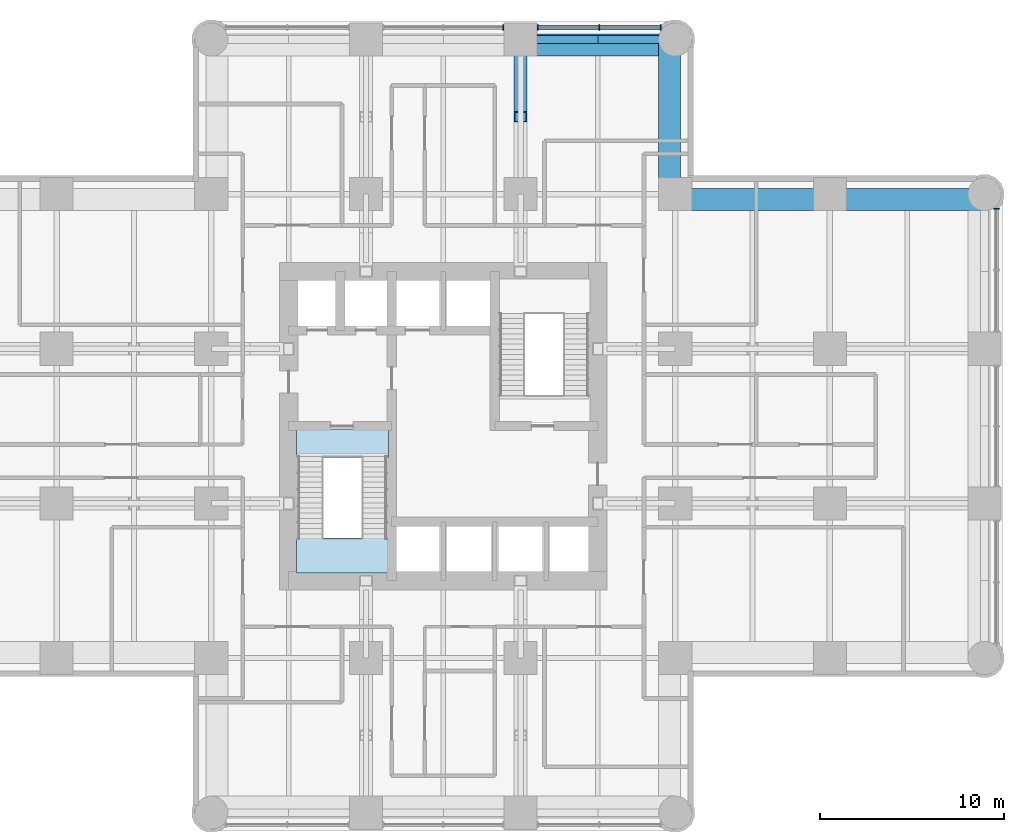
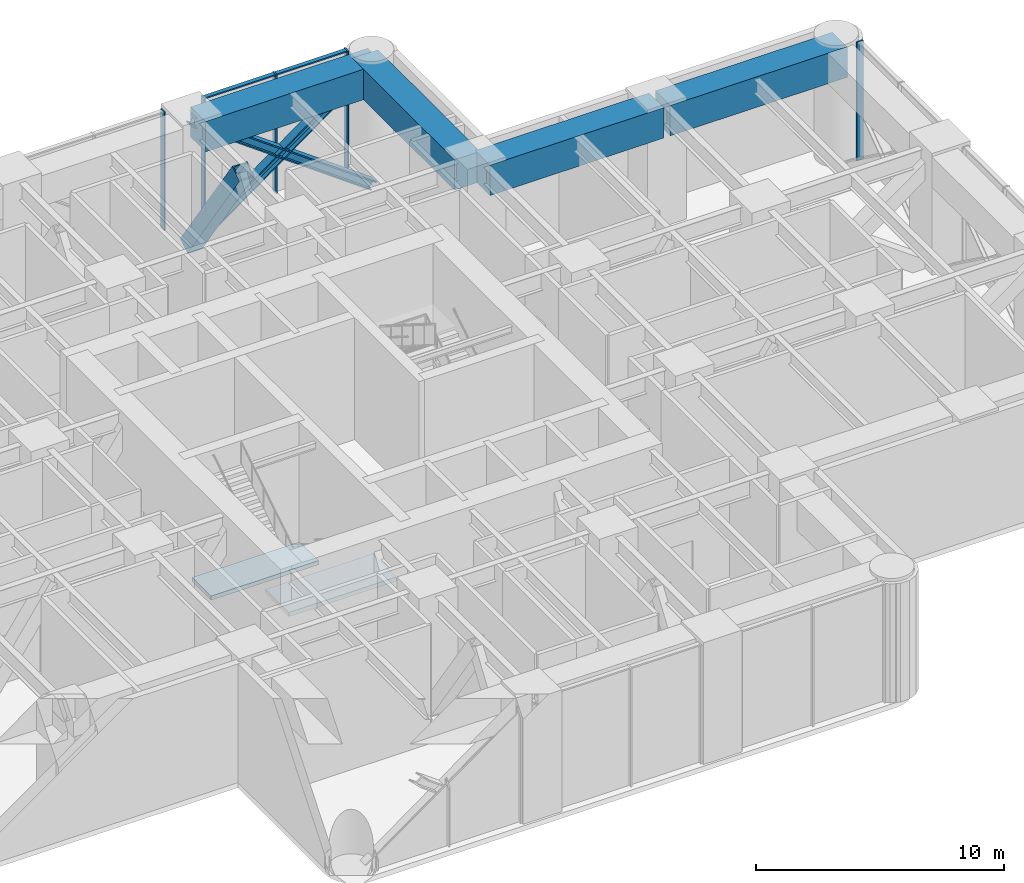
# One storey, part 7 of 13: 10 members, 4 beams, 2 slabs, 3 elements without a shape of their own.
"""IFC4 building model written with IfcOpenShell, lengths in metres."""

import ifcopenshell
import ifcopenshell.guid

model = None  # the IFC model being written
_history = None  # IfcOwnerHistory: only IFC2X3 demands one
_inside = {}  # id of a spatial element -> (the spatial element, [elements in it])
_under = {}  # id of a project, library or spatial element -> (it, [spatial elements below it])
_declared = {}  # id of a project -> (the project, [libraries it declares])
_typed = {}  # id of a type object -> (the type object, [elements of that type])
_made_of = {}  # id of a material, layer set ... -> (it, [elements and type objects made of it])


def new_model(schema):
    """Start an empty IFC model of exactly this schema.

    Asked for "IFC4X3", IfcOpenShell would pick the latest addendum, in which some entities
    have other attributes; the version numbers below select the first issue.
    IFC2X3 requires an IfcOwnerHistory on every rooted entity: one is made here for all.
    """
    global model, _history
    if schema == "IFC4X3":
        model = ifcopenshell.file(schema_version=(4, 3, 0, 0))
    else:
        model = ifcopenshell.file(schema=schema)
    _inside.clear()
    _under.clear()
    _declared.clear()
    _typed.clear()
    _made_of.clear()
    _history = None
    if model.schema == "IFC2X3":
        org = make("IfcOrganization", Name="unknown")
        user = make(
            "IfcPersonAndOrganization",
            ThePerson=make("IfcPerson", FamilyName="unknown"),
            TheOrganization=org,
        )
        app = make(
            "IfcApplication",
            ApplicationDeveloper=org,
            Version="unknown",
            ApplicationFullName="unknown",
            ApplicationIdentifier="unknown",
        )
        _history = make(
            "IfcOwnerHistory",
            OwningUser=user,
            OwningApplication=app,
            ChangeAction="ADDED",
            CreationDate=0,
        )
    return model


def make(cls, **values):
    """One entity of the class cls with the attributes given. An attribute that is None is left unset."""
    return model.create_entity(
        cls, **{name: value for name, value in values.items() if value is not None}
    )


def rooted(cls, **values):
    """An entity with a GlobalId (a new one), such as an element, a storey or a relation."""
    return make(cls, GlobalId=ifcopenshell.guid.new(), OwnerHistory=_history, **values)


def si_unit(unit_type, name, prefix=None):
    """IfcSIUnit, for example si_unit("LENGTHUNIT", "METRE", prefix="MILLI")."""
    return make("IfcSIUnit", UnitType=unit_type, Prefix=prefix, Name=name)


def assignment(units):
    """IfcUnitAssignment: the units of a project."""
    return None if units is None else make("IfcUnitAssignment", Units=units)


def point(xyz):
    """IfcCartesianPoint."""
    return None if xyz is None else make("IfcCartesianPoint", Coordinates=xyz)


def direction(xyz):
    """IfcDirection."""
    return None if xyz is None else make("IfcDirection", DirectionRatios=xyz)


def frame(location, z_axis=None, x_axis=None):
    """IfcAxis2Placement3D, a coordinate frame: its origin and axes. An axis left out is left unset."""
    return make(
        "IfcAxis2Placement3D",
        Location=point(location),
        Axis=direction(z_axis),
        RefDirection=direction(x_axis),
    )


def frame_2d(location, x_axis=None):
    """IfcAxis2Placement2D, a coordinate frame in the plane: its origin and x axis."""
    return make(
        "IfcAxis2Placement2D", Location=point(location), RefDirection=direction(x_axis)
    )


def origin():
    """The frame at (0, 0, 0) with its axes left unset."""
    return frame((0.0, 0.0, 0.0))


def origin_2d():
    """The frame at (0, 0) in the plane with its x axis left unset."""
    return frame_2d((0.0, 0.0))


def place(relative_to, where):
    """IfcLocalPlacement: puts the frame where relative to a parent placement (None: the world)."""
    return make(
        "IfcLocalPlacement", PlacementRelTo=relative_to, RelativePlacement=where
    )


def context(
    kind, dimensions, precision=None, world=None, true_north=None, identifier=None
):
    """IfcGeometricRepresentationContext, for example the 3D "Model" context."""
    return make(
        "IfcGeometricRepresentationContext",
        ContextIdentifier=identifier,
        ContextType=kind,
        CoordinateSpaceDimension=dimensions,
        Precision=precision,
        WorldCoordinateSystem=world,
        TrueNorth=true_north,
    )


def subcontext(parent, identifier, kind, view, scale=None):
    """IfcGeometricRepresentationSubContext, for example "Body" below "Model"."""
    return make(
        "IfcGeometricRepresentationSubContext",
        ContextIdentifier=identifier,
        ContextType=kind,
        ParentContext=parent,
        TargetScale=scale,
        TargetView=view,
    )


def project(units=None, contexts=None):
    """IfcProject with its units and contexts."""
    return rooted(
        "IfcProject",
        Name="project",
        RepresentationContexts=contexts,
        UnitsInContext=assignment(units),
    )


def spatial(cls, under=None, at=None, **own):
    """A site, building, storey or space (cls), placed at a placement, below another one or the project."""
    s = rooted(cls, ObjectPlacement=at, **own)
    if under is not None:
        _under.setdefault(under.id(), (under, []))[1].append(s)
    return s


def polyline(points):
    """IfcPolyline through the points."""
    return make("IfcPolyline", Points=[point(p) for p in points])


def profile(cls, at=None, kind="AREA", **sizes):
    """A parametric profile (cls). Its sizes go by their IFC names, for example OverallWidth=200.0."""
    return make(cls, ProfileType=kind, Position=at, **sizes)


def rectangle(**sizes):
    """IfcRectangleProfileDef."""
    return profile("IfcRectangleProfileDef", **sizes)


def hollow_rectangle(**sizes):
    """IfcRectangleHollowProfileDef."""
    return profile("IfcRectangleHollowProfileDef", **sizes)


def i_section(**sizes):
    """IfcIShapeProfileDef."""
    return profile("IfcIShapeProfileDef", **sizes)


def outline(outer, holes=None, kind="AREA"):
    """IfcArbitraryClosedProfileDef: a profile drawn as a closed curve; with holes, ...WithVoids."""
    if holes is None:
        return make("IfcArbitraryClosedProfileDef", ProfileType=kind, OuterCurve=outer)
    return make(
        "IfcArbitraryProfileDefWithVoids",
        ProfileType=kind,
        OuterCurve=outer,
        InnerCurves=holes,
    )


def extrude(swept, where, along, depth):
    """IfcExtrudedAreaSolid: the profile swept, set in the frame where, extruded along a direction by depth."""
    return make(
        "IfcExtrudedAreaSolid",
        SweptArea=swept,
        Position=where,
        ExtrudedDirection=direction(along),
        Depth=depth,
    )


def shape(context_of_items, identifier, shape_type, items):
    """IfcShapeRepresentation: the items that make up one representation, for example the "Body"."""
    return make(
        "IfcShapeRepresentation",
        ContextOfItems=context_of_items,
        RepresentationIdentifier=identifier,
        RepresentationType=shape_type,
        Items=items,
    )


def material(Name=None, Category=None):
    """IfcMaterial."""
    return make("IfcMaterial", Name=Name, Category=Category)


def layer(
    of_material, thickness, ventilated=None, Name=None, Category=None, Priority=None
):
    """IfcMaterialLayer: one layer of a wall or slab, of a material (None: an air gap)."""
    return make(
        "IfcMaterialLayer",
        Material=of_material,
        LayerThickness=thickness,
        IsVentilated=ventilated,
        Name=Name,
        Category=Category,
        Priority=Priority,
    )


def layer_set(layers, Name=None):
    """IfcMaterialLayerSet."""
    return make("IfcMaterialLayerSet", MaterialLayers=layers, LayerSetName=Name)


def material_profile(
    of_material, cross_section, Name=None, Category=None, Priority=None
):
    """IfcMaterialProfile: a cross section and its material."""
    return make(
        "IfcMaterialProfile",
        Name=Name,
        Material=of_material,
        Profile=cross_section,
        Priority=Priority,
        Category=Category,
    )


def profile_set(profiles, Name=None, composite=None):
    """IfcMaterialProfileSet."""
    return make(
        "IfcMaterialProfileSet",
        Name=Name,
        MaterialProfiles=profiles,
        CompositeProfile=composite,
    )


def made_of(thing, what):
    """Note that an element or type object is made of a material, layer set ...; save() writes the relation."""
    if what is not None:
        _made_of.setdefault(what.id(), (what, []))[1].append(thing)
    return thing


def type_object(cls, material=None, **own):
    """A type object (cls), such as IfcWallType, which elements share."""
    return made_of(rooted(cls, **own), material)


def element(
    cls,
    number,
    at=None,
    inside=None,
    cuts=None,
    type_object=None,
    material=None,
    context=None,
    identifier="Body",
    shape_type=None,
    held_by="IfcProductDefinitionShape",
    body=None,
    shapes=None,
    **own,
):
    """One element of the class cls, such as IfcWall. Its Tag is "e" and its number.

    at: its placement. inside: the storey or other place that contains it. cuts: it is an
    opening in that element (IfcRelVoidsElement). A single representation is given by context,
    identifier, shape_type and body (its items); several are given by shapes. held_by: the class
    of the entity that holds the representations. save() writes the other relations.
    """
    e = rooted(cls, Tag="e%d" % number, ObjectPlacement=at, **own)
    if body is not None:
        shapes = [shape(context, identifier, shape_type, body)]
    if shapes is not None:
        e.Representation = make(held_by, Representations=shapes)
    if inside is not None:
        _inside.setdefault(inside.id(), (inside, []))[1].append(e)
    if cuts is not None:
        rooted(
            "IfcRelVoidsElement", RelatingBuildingElement=cuts, RelatedOpeningElement=e
        )
    if type_object is not None:
        _typed.setdefault(type_object.id(), (type_object, []))[1].append(e)
    return made_of(e, material)


def aggregate(whole, parts):
    """IfcRelAggregates: a whole, such as a stair, and the parts it consists of."""
    return rooted("IfcRelAggregates", RelatingObject=whole, RelatedObjects=parts)


def save(model, path):
    """Write the relations noted so far, then the file.

    IfcRelAggregates (storeys below a building ...), IfcRelContainedInSpatialStructure (elements
    in a storey), IfcRelDefinesByType, IfcRelAssociatesMaterial and IfcRelDeclares: one each for
    every whole, place, type object, material and project.
    """
    for whole, parts in _under.values():
        aggregate(whole, parts)
    for where, things in _inside.values():
        rooted(
            "IfcRelContainedInSpatialStructure",
            RelatedElements=things,
            RelatingStructure=where,
        )
    for kind, things in _typed.values():
        rooted("IfcRelDefinesByType", RelatedObjects=things, RelatingType=kind)
    for what, things in _made_of.values():
        rooted("IfcRelAssociatesMaterial", RelatedObjects=things, RelatingMaterial=what)
    for by, libraries in _declared.values():
        rooted("IfcRelDeclares", RelatingContext=by, RelatedDefinitions=libraries)
    model.write(path)


model = new_model("IFC4")

# Units and contexts
model_context = context("Model", 3, precision=1e-05, world=origin(), true_north=direction((0.0, 1.0)))
body_context = subcontext(model_context, "Body", "Model", "MODEL_VIEW")
ifc_project = project(units=[si_unit("LENGTHUNIT", "METRE"), si_unit("AREAUNIT", "SQUARE_METRE"), si_unit("VOLUMEUNIT", "CUBIC_METRE"), si_unit("PLANEANGLEUNIT", "RADIAN"), si_unit("MASSUNIT", "GRAM", prefix="KILO")], contexts=[model_context])

# Site, building, storey
site_placement = place(None, origin())
site = spatial("IfcSite", under=ifc_project, at=site_placement, CompositionType="ELEMENT")
building_placement = place(site_placement, origin())
building = spatial("IfcBuilding", under=site, at=building_placement, Name="Torre Alcanfor", CompositionType="ELEMENT")
storey_placement = place(building_placement, frame((0.0, 0.0, 177.300048828125)))
storey = spatial("IfcBuildingStorey", under=building, at=storey_placement, Name="L46", CompositionType="ELEMENT", Elevation=177.300048828125)

# Members
ifc_material_1 = material(Name="Steel ASTM A992 Grade 50", Category="steel")
ifc_material_profile_1 = material_profile(ifc_material_1, i_section(OverallWidth=0.411376953125, OverallDepth=0.434326171875, WebThickness=0.035888671875, FlangeThickness=0.057373046875, at=origin_2d()), Name="W14x311")
ifc_profile_set_1 = profile_set([ifc_material_profile_1], Name="Steel ASTM A992 Grade 50")
member_type_1 = type_object("IfcMemberType", Name="Belt truss diagonal W14x311", PredefinedType="BRACE", material=ifc_profile_set_1)
for number, where, z_axis, x_axis, name in (
    (1, (33.60009765625, 50.39990234375, -0.650146484375), (0.809144712888, 0.0, 0.587609422665), (0.0, 1.0, 0.0), "Belt truss L46 N arm panel 3 diagonal A"),
    (2, (42.0, 50.39990234375, -0.650146484375), (-0.809144712888, 0.0, 0.587609422665), (0.0, -1.0, 0.0), "Belt truss L46 N arm panel 3 diagonal B"),
):
    element("IfcMember", number, at=place(storey_placement, frame(where, z_axis=z_axis, x_axis=x_axis)), inside=storey, type_object=member_type_1, Name=name, PredefinedType="BRACE", context=body_context, shape_type="SweptSolid", body=[
        extrude(i_section(OverallWidth=0.411376953125, OverallDepth=0.434326171875, WebThickness=0.035888671875, FlangeThickness=0.057373046875, at=origin_2d()), origin(), (0.0, 0.0, 1.0), 10.381103515625),
    ])

# Curtain wall, member
ifc_material_2 = material(Name="Aluminium and glass", Category="aluminium")
curtain_wall_type = type_object("IfcCurtainWallType", Name="CW-D plant floor louvre screen", PredefinedType="NOTDEFINED", material=ifc_material_2)
curtain_wall_1_placement = place(storey_placement, origin())
curtain_wall_1 = element("IfcCurtainWall", 3, at=curtain_wall_1_placement, inside=storey, type_object=curtain_wall_type, Name="Curtain wall CW-D L46 8", PredefinedType="NOTDEFINED")
ifc_material_3 = material(Name="Extruded aluminium", Category="aluminium")
ifc_material_profile_2 = material_profile(ifc_material_3, rectangle(XDim=0.300048828125, YDim=0.06494140625, at=origin_2d()), Name="CW-D mullion 65x300")
ifc_profile_set_2 = profile_set([ifc_material_profile_2], Name="Extruded aluminium")
member_type_2 = type_object("IfcMemberType", Name="CW-D mullion 65x300", PredefinedType="MULLION", material=ifc_profile_set_2)
member_1_placement = place(storey_placement, frame((59.449951171875, 41.213134765625, 0.0), z_axis=(0.0, 0.0, 1.0), x_axis=(-1.0, 0.0, 0.0)))
member_1 = element("IfcMember", 4, at=member_1_placement, type_object=member_type_2, Name="CW-D mullion 3.3", PredefinedType="MULLION", context=body_context, shape_type="SweptSolid", body=[
    extrude(rectangle(XDim=0.300048828125, YDim=0.06494140625, at=origin_2d()), origin(), (0.0, 0.0, 1.0), 5.849853515625),
])
aggregate(curtain_wall_1, [member_1])

# Curtain wall, members
curtain_wall_2_placement = place(storey_placement, origin())
curtain_wall_2 = element("IfcCurtainWall", 5, at=curtain_wall_2_placement, inside=storey, type_object=curtain_wall_type, Name="Curtain wall CW-D L46 11", PredefinedType="NOTDEFINED")
member_2_placement = place(storey_placement, frame((41.213134765625, 51.050048828125, 0.0), z_axis=(0.0, 0.0, 1.0), x_axis=(0.0, -1.0, 0.0)))
member_2 = element("IfcMember", 6, at=member_2_placement, type_object=member_type_2, Name="CW-D mullion 1.1", PredefinedType="MULLION", context=body_context, shape_type="SweptSolid", body=[
    extrude(rectangle(XDim=0.300048828125, YDim=0.06494140625, at=origin_2d()), origin(), (0.0, 0.0, 1.0), 5.849853515625),
])
member_3_placement = place(storey_placement, frame((37.875244140625, 51.050048828125, 0.0), z_axis=(0.0, 0.0, 1.0), x_axis=(0.0, -1.0, 0.0)))
member_3 = element("IfcMember", 7, at=member_3_placement, type_object=member_type_2, Name="CW-D mullion 1.2", PredefinedType="MULLION", context=body_context, shape_type="SweptSolid", body=[
    extrude(rectangle(XDim=0.300048828125, YDim=0.06494140625, at=origin_2d()), origin(), (0.0, 0.0, 1.0), 5.849853515625),
])
member_4_placement = place(storey_placement, frame((34.53759765625, 51.050048828125, 0.0), z_axis=(0.0, 0.0, 1.0), x_axis=(0.0, -1.0, 0.0)))
member_4 = element("IfcMember", 8, at=member_4_placement, type_object=member_type_2, Name="CW-D mullion 1.3", PredefinedType="MULLION", context=body_context, shape_type="SweptSolid", body=[
    extrude(rectangle(XDim=0.300048828125, YDim=0.06494140625, at=origin_2d()), origin(), (0.0, 0.0, 1.0), 5.849853515625),
])
member_5_placement = place(storey_placement, frame((32.66259765625, 51.050048828125, 0.0), z_axis=(0.0, 0.0, 1.0), x_axis=(0.0, -1.0, 0.0)))
member_5 = element("IfcMember", 9, at=member_5_placement, type_object=member_type_2, Name="CW-D mullion 2.1", PredefinedType="MULLION", context=body_context, shape_type="SweptSolid", body=[
    extrude(rectangle(XDim=0.300048828125, YDim=0.06494140625, at=origin_2d()), origin(), (0.0, 0.0, 1.0), 5.849853515625),
])
ifc_material_4 = material(Name="Extruded aluminium", Category="aluminium")
ifc_material_profile_3 = material_profile(ifc_material_4, rectangle(XDim=0.199951171875, YDim=0.06494140625, at=origin_2d()), Name="CW-D transom 200x65")
ifc_profile_set_3 = profile_set([ifc_material_profile_3], Name="Extruded aluminium")
member_type_3 = type_object("IfcMemberType", Name="CW-D transom 65x200", PredefinedType="USERDEFINED", material=ifc_profile_set_3)
member_6_placement = place(storey_placement, frame((41.1806640625, 51.050048828125, 5.8173828125), z_axis=(-1.0, 0.0, 0.0), x_axis=(0.0, -1.0, 0.0)))
member_6 = element("IfcMember", 10, at=member_6_placement, type_object=member_type_3, Name="CW-D transom 1.1.2", ObjectType="TRANSOM", PredefinedType="USERDEFINED", context=body_context, shape_type="SweptSolid", body=[
    extrude(rectangle(XDim=0.199951171875, YDim=0.06494140625, at=origin_2d()), origin(), (0.0, 0.0, 1.0), 3.272705078125),
])
member_7_placement = place(storey_placement, frame((37.8427734375, 51.050048828125, 5.8173828125), z_axis=(-1.0, 0.0, 0.0), x_axis=(0.0, -1.0, 0.0)))
member_7 = element("IfcMember", 11, at=member_7_placement, type_object=member_type_3, Name="CW-D transom 1.2.2", ObjectType="TRANSOM", PredefinedType="USERDEFINED", context=body_context, shape_type="SweptSolid", body=[
    extrude(rectangle(XDim=0.199951171875, YDim=0.06494140625, at=origin_2d()), origin(), (0.0, 0.0, 1.0), 3.272705078125),
])
aggregate(curtain_wall_2, [member_2, member_3, member_4, member_6, member_7, member_5])

# Member
ifc_material_5 = material(Name="Steel ASTM A572 Grade 50 plate", Category="steel")
ifc_material_profile_4 = material_profile(ifc_material_5, hollow_rectangle(XDim=0.699951171875, YDim=0.699951171875, WallThickness=0.050048828125, at=origin_2d()), Name="BOX 700x700x50")
ifc_profile_set_4 = profile_set([ifc_material_profile_4], Name="Steel ASTM A572 Grade 50 plate")
member_type_4 = type_object("IfcMemberType", Name="Outrigger truss diagonal BOx700x700x50", PredefinedType="BRACE", material=ifc_profile_set_4)
member_8_placement = place(storey_placement, frame((33.60009765625, 50.39990234375, -0.650146484375), z_axis=(0.0, -0.567091101321, 0.823655075139), x_axis=(1.0, 0.0, 0.0)))
element("IfcMember", 12, at=member_8_placement, inside=storey, type_object=member_type_4, Name="Outrigger truss L46 N arm grid 33.6 panel 2 diagonal B", PredefinedType="BRACE", context=body_context, shape_type="SweptSolid", body=[
    extrude(hollow_rectangle(XDim=0.699951171875, YDim=0.699951171875, WallThickness=0.050048828125, at=origin_2d()), origin(), (0.0, 0.0, 1.0), 7.40625),
])

# Beams
ifc_material_6 = material(Name="Concrete f'c 70 MPa", Category="concrete")
ifc_material_profile_5 = material_profile(ifc_material_6, rectangle(XDim=1.199951171875, YDim=1.5, at=origin_2d()), Name="1200x1500")
ifc_profile_set_5 = profile_set([ifc_material_profile_5], Name="Concrete f'c 70 MPa")
beam_type = type_object("IfcBeamType", Name="RC perimeter beam 1200x1500", PredefinedType="BEAM", material=ifc_profile_set_5)
beam_1_placement = place(storey_placement, frame((42.14599609375, 41.699951171875, 5.099853515625), z_axis=(1.0, 0.0, 0.0), x_axis=(0.0, 1.0, 0.0)))
element("IfcBeam", 13, at=beam_1_placement, inside=storey, type_object=beam_type, Name="Beam 6H-7H under L47", PredefinedType="BEAM", context=body_context, shape_type="SweptSolid", body=[
    extrude(rectangle(XDim=1.199951171875, YDim=1.5, at=origin_2d()), origin(), (0.0, 0.0, 1.0), 8.10791015625),
])
beam_2_placement = place(storey_placement, frame((50.5458984375, 41.699951171875, 5.099853515625), z_axis=(1.0, 0.0, 0.0), x_axis=(0.0, 1.0, 0.0)))
element("IfcBeam", 14, at=beam_2_placement, inside=storey, type_object=beam_type, Name="Beam 7H-8H under L47", PredefinedType="BEAM", context=body_context, shape_type="SweptSolid", body=[
    extrude(rectangle(XDim=1.199951171875, YDim=1.5, at=origin_2d()), origin(), (0.0, 0.0, 1.0), 8.254150390625),
])
for number, where, z_axis, x_axis, name in (
    (15, (33.74609375, 50.10009765625, 5.099853515625), (1.0, 0.0, 0.0), (0.0, 1.0, 0.0), "Beam 5J-6J under L47"),
    (16, (41.699951171875, 42.14599609375, 5.099853515625), (0.0, 1.0, 0.0), (-1.0, 0.0, 0.0), "Beam 6H-6J under L47"),
):
    element("IfcBeam", number, at=place(storey_placement, frame(where, z_axis=z_axis, x_axis=x_axis)), inside=storey, type_object=beam_type, Name=name, PredefinedType="BEAM", context=body_context, shape_type="SweptSolid", body=[
        extrude(rectangle(XDim=1.199951171875, YDim=1.5, at=origin_2d()), origin(), (0.0, 0.0, 1.0), 8.25390625),
    ])

# Stair, slabs
ifc_material_7 = material(Name="Concrete f'c 35 MPa", Category="concrete")
stair_type = type_object("IfcStairType", Name="Exit stair S1 1400 wide", PredefinedType="HALF_TURN_STAIR", material=ifc_material_7)
stair_placement = place(storey_placement, origin())
stair = element("IfcStair", 17, at=stair_placement, inside=storey, type_object=stair_type, Name="Stair S1 L46 to L47", PredefinedType="HALF_TURN_STAIR")
ifc_material_8 = material(Name="Concrete f'c 35 MPa", Category="concrete")
ifc_layer = layer(ifc_material_8, 0.199951171875)
ifc_layer_set = layer_set([ifc_layer], Name="Stair landing 200")
slab_type = type_object("IfcSlabType", Name="Stair landing 200", PredefinedType="LANDING", material=ifc_layer_set)
slab_1_placement = place(storey_placement, frame((0.0, 0.0, -0.199951171875)))
slab_1 = element("IfcSlab", 18, at=slab_1_placement, type_object=slab_type, Name="S1 landing 1", PredefinedType="LANDING", context=body_context, shape_type="SweptSolid", body=[
    extrude(outline(polyline([(21.419921875, 27.699951171875), (26.429931640625, 27.699951171875), (26.429931640625, 29.22998046875), (21.419921875, 29.22998046875), (21.419921875, 27.699951171875)])), origin(), (0.0, 0.0, 1.0), 0.199951171875),
])
slab_2_placement = place(storey_placement, frame((0.0, 0.0, 2.800048828125)))
slab_2 = element("IfcSlab", 19, at=slab_2_placement, type_object=slab_type, Name="S1 landing 2", PredefinedType="LANDING", context=body_context, shape_type="SweptSolid", body=[
    extrude(outline(polyline([(21.419921875, 21.419921875), (26.429931640625, 21.419921875), (26.429931640625, 23.320068359375), (21.419921875, 23.320068359375), (21.419921875, 21.419921875)])), origin(), (0.0, 0.0, 1.0), 0.199951171875),
])
aggregate(stair, [slab_1, slab_2])

save(model, "model.ifc")
